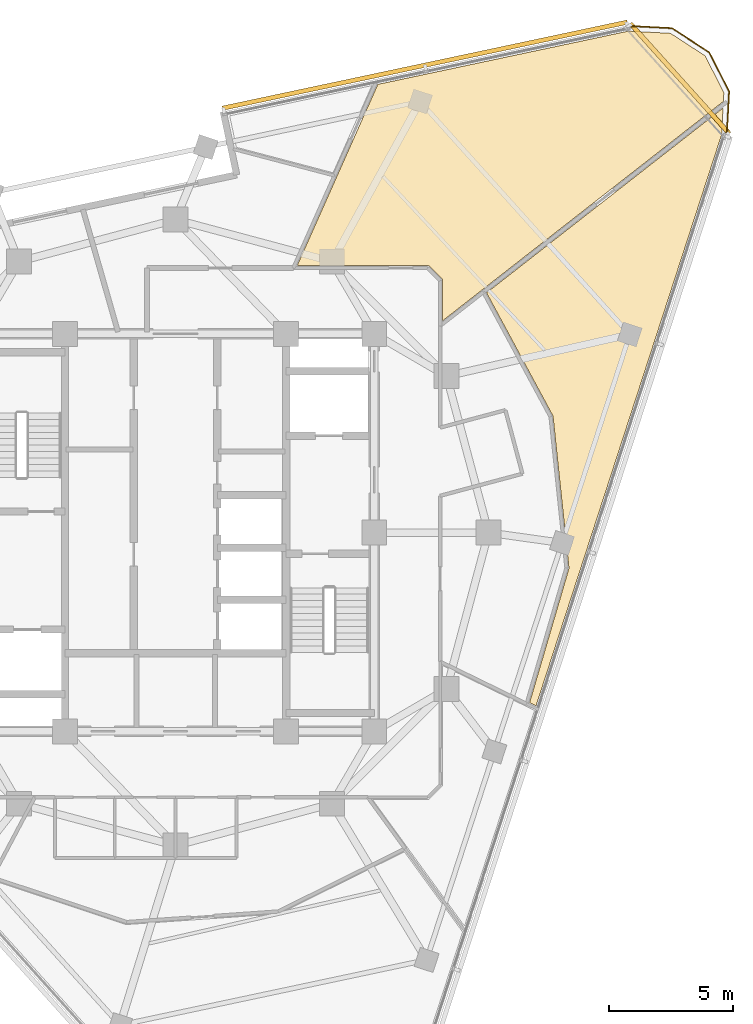
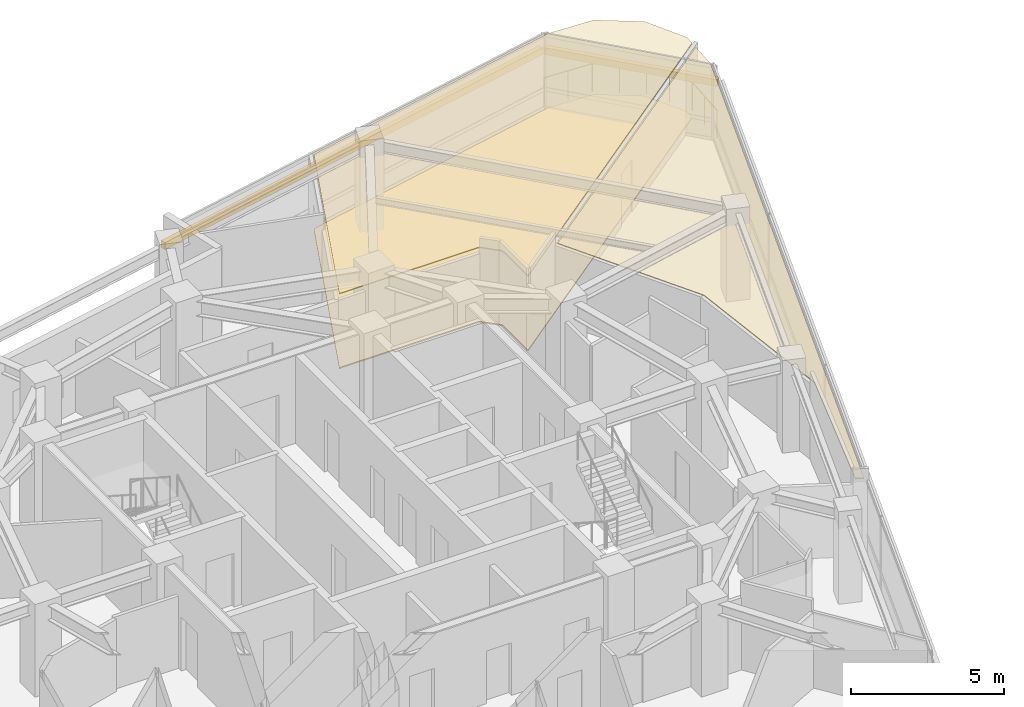
# One storey, part 15 of 15: 3 coverings, 2 shading devices, 1 railing.
"""IFC4 building model written with IfcOpenShell, lengths in metres."""

from ifc_helpers import new_model, si_unit, direction, frame, origin, origin_2d, place, context, subcontext, project, spatial, polyline, rectangle, circle, outline, extrude, material, layer, layer_set, type_object, element, save


model = new_model("IFC4")

# Units and contexts
model_context = context("Model", 3, precision=1e-05, world=origin(), true_north=direction((0.0, 1.0)))
body_context = subcontext(model_context, "Body", "Model", "MODEL_VIEW")
ifc_project = project(units=[si_unit("LENGTHUNIT", "METRE"), si_unit("AREAUNIT", "SQUARE_METRE"), si_unit("VOLUMEUNIT", "CUBIC_METRE"), si_unit("PLANEANGLEUNIT", "RADIAN"), si_unit("MASSUNIT", "GRAM", prefix="KILO")], contexts=[model_context])

# Site, building, storey
site_placement = place(None, origin())
site = spatial("IfcSite", under=ifc_project, at=site_placement, CompositionType="ELEMENT")
building_placement = place(site_placement, origin())
building = spatial("IfcBuilding", under=site, at=building_placement, Name="Terralouvre Media Tower", CompositionType="ELEMENT")
storey_placement = place(building_placement, frame((0.0, 0.0, 301.699951171875)))
storey = spatial("IfcBuildingStorey", under=building, at=storey_placement, Name="L78", CompositionType="ELEMENT", Elevation=301.699951171875)

# Coverings
ifc_material_1 = material(Name="Resilient elastomer acoustic broadcast studio flooring")
ifc_layer_1 = layer(ifc_material_1, 0.050048828125, Name="Broadcast Studio Acoustic Floating Floor FL-AC1")
ifc_layer_set_1 = layer_set([ifc_layer_1], Name="Resilient elastomer acoustic broadcast studio flooring")
covering_type_1 = type_object("IfcCoveringType", Name="Broadcast Studio Acoustic Floating Floor FL-AC1", PredefinedType="FLOORING", material=ifc_layer_set_1)
covering_1_placement = place(storey_placement, frame((0.0, 0.0, 0.0), z_axis=(0.0, 0.0, 1.0), x_axis=(0.309016994375, 0.951056516295, 0.0)))
element("IfcCovering", 1, at=covering_1_placement, inside=storey, type_object=covering_type_1, Name="L78 Staff Quiet Reading Club 7 Acoustic Floating Floor", PredefinedType="FLOORING", context=body_context, shape_type="SweptSolid", body=[
    extrude(outline(polyline([(19.6767578125, -2.168212890625), (15.631103515625, -1.743408203125), (11.73681640625, -1.33447265625), (13.3603515625, -6.331298828125), (13.363037109375, -6.3408203125), (13.364501953125, -6.350341796875), (13.365234375, -6.360107421875), (13.364990234375, -6.3701171875), (13.36376953125, -6.379638671875), (13.361572265625, -6.389404296875), (13.3583984375, -6.398681640625), (13.354248046875, -6.407470703125), (13.033447265625, -7.03759765625), (13.0283203125, -7.046142578125), (13.022705078125, -7.05419921875), (13.016357421875, -7.0615234375), (13.00927734375, -7.068359375), (13.00146484375, -7.07421875), (12.9931640625, -7.07958984375), (12.984375, -7.083740234375), (12.97509765625, -7.08740234375), (11.4306640625, -7.589111328125), (13.092041015625, -8.7099609375), (23.322021484375, -15.610595703125), (23.666015625, -15.51806640625), (24.841552734375, -14.342529296875), (25.272216796875, -12.73681640625), (24.834228515625, -11.10107421875), (19.6767578125, -2.168212890625)])), origin(), (0.0, 0.0, 1.0), 0.050048828125),
])
ifc_material_2 = material(Name="Perforated aluminium acoustic ceiling baffle", Category="aluminium")
ifc_layer_2 = layer(ifc_material_2, 0.0400390625, Name="Perforated Acoustic Metal Tile Ceiling CL-AC1")
ifc_layer_set_2 = layer_set([ifc_layer_2], Name="Perforated aluminium acoustic ceiling baffle")
covering_type_2 = type_object("IfcCoveringType", Name="Perforated Acoustic Metal Tile Ceiling CL-AC1", PredefinedType="CEILING", material=ifc_layer_set_2)
covering_2_placement = place(storey_placement, frame((0.0, 0.0, 2.97998046875), z_axis=(0.0, 0.0, 1.0), x_axis=(0.309016994375, 0.951056516295, 0.0)))
element("IfcCovering", 2, at=covering_2_placement, inside=storey, type_object=covering_type_2, Name="L78 Podcast Editing Creative Workshop 6 Acoustic Ceiling", PredefinedType="CEILING", context=body_context, shape_type="SweptSolid", body=[
    extrude(outline(polyline([(9.172119140625, -12.985107421875), (9.1650390625, -12.991943359375), (9.1572265625, -12.997802734375), (9.149169921875, -13.003173828125), (9.140380859375, -13.007568359375), (3.550048828125, -15.496826171875), (3.541015625, -15.50048828125), (3.531494140625, -15.503173828125), (3.52197265625, -15.504638671875), (3.51220703125, -15.505615234375), (-2.10107421875, -15.6689453125), (-2.1416015625, -15.956298828125), (22.031494140625, -15.95654296875), (23.066162109375, -15.67919921875), (13.05029296875, -8.923095703125), (9.172119140625, -12.985107421875)])), origin(), (0.0, 0.0, 1.0), 0.0400390625),
])
covering_3_placement = place(storey_placement, frame((0.0, 0.0, 2.97998046875), z_axis=(0.0, 0.0, 1.0), x_axis=(0.309016994375, 0.951056516295, 0.0)))
element("IfcCovering", 3, at=covering_3_placement, inside=storey, type_object=covering_type_2, Name="L78 Staff Quiet Reading Club 7 Acoustic Ceiling", PredefinedType="CEILING", context=body_context, shape_type="SweptSolid", body=[
    extrude(outline(polyline([(19.6767578125, -2.168212890625), (15.631103515625, -1.743408203125), (11.73681640625, -1.33447265625), (13.3603515625, -6.331298828125), (13.363037109375, -6.3408203125), (13.364501953125, -6.350341796875), (13.365234375, -6.360107421875), (13.364990234375, -6.3701171875), (13.36376953125, -6.379638671875), (13.361572265625, -6.389404296875), (13.3583984375, -6.398681640625), (13.354248046875, -6.407470703125), (13.033447265625, -7.03759765625), (13.0283203125, -7.046142578125), (13.022705078125, -7.05419921875), (13.016357421875, -7.0615234375), (13.00927734375, -7.068359375), (13.00146484375, -7.07421875), (12.9931640625, -7.07958984375), (12.984375, -7.083740234375), (12.97509765625, -7.08740234375), (11.4306640625, -7.589111328125), (13.092041015625, -8.7099609375), (23.322021484375, -15.610595703125), (23.666015625, -15.51806640625), (24.841552734375, -14.342529296875), (25.272216796875, -12.73681640625), (24.834228515625, -11.10107421875), (19.6767578125, -2.168212890625)])), origin(), (0.0, 0.0, 1.0), 0.0400390625),
])

# Railing
ifc_material_3 = material(Name="Stainless steel 316 handrail and balustrade", Category="steel")
ifc_layer_3 = layer(ifc_material_3, 0.06005859375, Name="Roof Edge Safety Guardrail GR-ROOF1")
ifc_layer_set_3 = layer_set([ifc_layer_3], Name="Stainless steel 316 handrail and balustrade")
railing_type = type_object("IfcRailingType", Name="Roof Edge Safety Guardrail GR-ROOF1", PredefinedType="GUARDRAIL", material=ifc_layer_set_3)
railing_placement = place(storey_placement, frame((22.189453125, 15.972900390625, 0.0)))
element("IfcRailing", 4, at=railing_placement, inside=storey, type_object=railing_type, Name="L78 Wind-Corner Perimeter Safety Guardrail C1", PredefinedType="GUARDRAIL", context=body_context, shape_type="SweptSolid", body=[
    extrude(circle(Radius=0.02099609375, at=origin_2d()), frame((0.0, 0.0, 1.12890625), z_axis=(0.052530038308, 0.998619344433, 0.0), x_axis=(-0.998619344433, 0.052530038308, 0.0)), (0.0, 0.0, 1.0), 1.780029296875),
    extrude(circle(Radius=0.02099609375, at=origin_2d()), frame((0.093505859375, 1.777587890625, 1.12890625), z_axis=(-0.453894958645, 0.891055198356, 0.0), x_axis=(-0.891055198356, -0.453894958645, 0.0)), (0.0, 0.0, 1.0), 1.77978515625),
    extrude(circle(Radius=0.02099609375, at=origin_2d()), frame((-0.71435546875, 3.363525390625, 1.12890625), z_axis=(-0.838763173907, 0.544496407791, 0.0), x_axis=(-0.544496407791, -0.838763173907, 0.0)), (0.0, 0.0, 1.0), 1.779541015625),
    extrude(circle(Radius=0.02099609375, at=origin_2d()), frame((-2.20703125, 4.33251953125, 1.12890625), z_axis=(-0.998641217395, 0.052112560095, 0.0), x_axis=(-0.052112560095, -0.998641217395, 0.0)), (0.0, 0.0, 1.0), 1.7802734375),
    extrude(circle(Radius=0.01904296875, at=origin_2d()), origin(), (0.0, 0.0, 1.0), 1.10791015625),
    extrude(circle(Radius=0.01904296875, at=origin_2d()), frame((0.046875, 0.888671875, 0.0)), (0.0, 0.0, 1.0), 1.10791015625),
    extrude(circle(Radius=0.01904296875, at=origin_2d()), frame((0.093505859375, 1.777587890625, 0.0)), (0.0, 0.0, 1.0), 1.10791015625),
    extrude(circle(Radius=0.01904296875, at=origin_2d()), frame((-0.310546875, 2.570556640625, 0.0)), (0.0, 0.0, 1.0), 1.10791015625),
    extrude(circle(Radius=0.01904296875, at=origin_2d()), frame((-0.71435546875, 3.363525390625, 0.0)), (0.0, 0.0, 1.0), 1.10791015625),
    extrude(circle(Radius=0.01904296875, at=origin_2d()), frame((-1.460693359375, 3.84814453125, 0.0)), (0.0, 0.0, 1.0), 1.10791015625),
    extrude(circle(Radius=0.01904296875, at=origin_2d()), frame((-2.20703125, 4.33251953125, 0.0)), (0.0, 0.0, 1.0), 1.10791015625),
    extrude(circle(Radius=0.01904296875, at=origin_2d()), frame((-3.095947265625, 4.37890625, 0.0)), (0.0, 0.0, 1.0), 1.10791015625),
    extrude(circle(Radius=0.01904296875, at=origin_2d()), frame((-3.98486328125, 4.42529296875, 0.0)), (0.0, 0.0, 1.0), 1.10791015625),
])

# Shading devices
ifc_material_4 = material(Name="Extruded terracotta baguette sunshade louvres", Category="masonry")
shading_device_type = type_object("IfcShadingDeviceType", Name="Terracotta Baguette Sunshade Louvre Screen TB-LV1", PredefinedType="USERDEFINED", material=ifc_material_4)
shading_device_1_placement = place(storey_placement, frame((10.03759765625, 18.814453125, 2.02392578125), z_axis=(0.0, 0.0, 1.0), x_axis=(-0.978147588229, -0.207911749648, 0.0)))
element("IfcShadingDevice", 5, at=shading_device_1_placement, inside=storey, type_object=shading_device_type, Name="CW-L78-F1L Terracotta Baguette Sunshade Louvre", ObjectType="BAGUETTE", PredefinedType="USERDEFINED", context=body_context, shape_type="SweptSolid", body=[
    extrude(rectangle(XDim=16.659912109375, YDim=0.179931640625, at=origin_2d()), origin(), (0.0, 0.0, 1.0), 0.280029296875),
])
shading_device_2_placement = place(storey_placement, frame((20.29736328125, 18.27587890625, 2.02392578125), z_axis=(0.0, 0.0, 1.0), x_axis=(-0.669130231192, 0.743145163279, 0.0)))
element("IfcShadingDevice", 6, at=shading_device_2_placement, inside=storey, type_object=shading_device_type, Name="CW-L78-C1 Terracotta Baguette Sunshade Louvre", ObjectType="BAGUETTE", PredefinedType="USERDEFINED", context=body_context, shape_type="SweptSolid", body=[
    extrude(rectangle(XDim=5.958251953125, YDim=0.179931640625, at=origin_2d()), origin(), (0.0, 0.0, 1.0), 0.280029296875),
])

save(model, "model.ifc")
